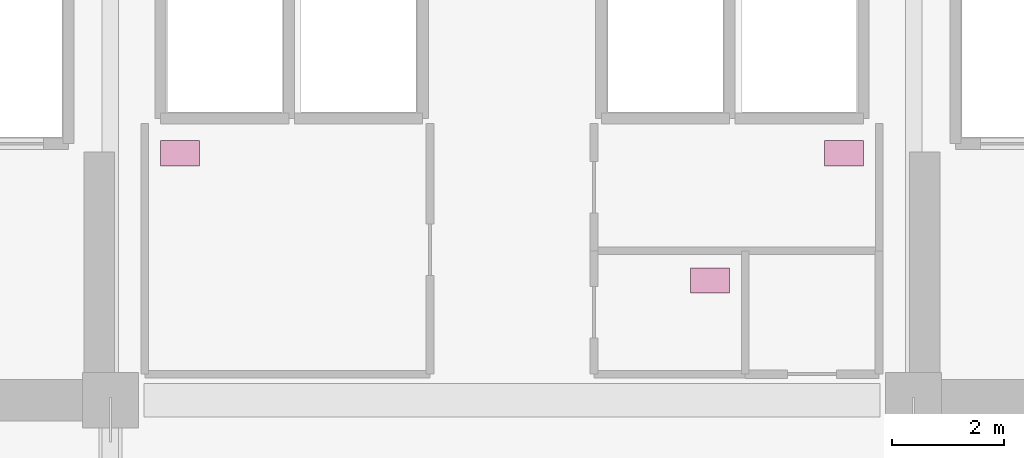
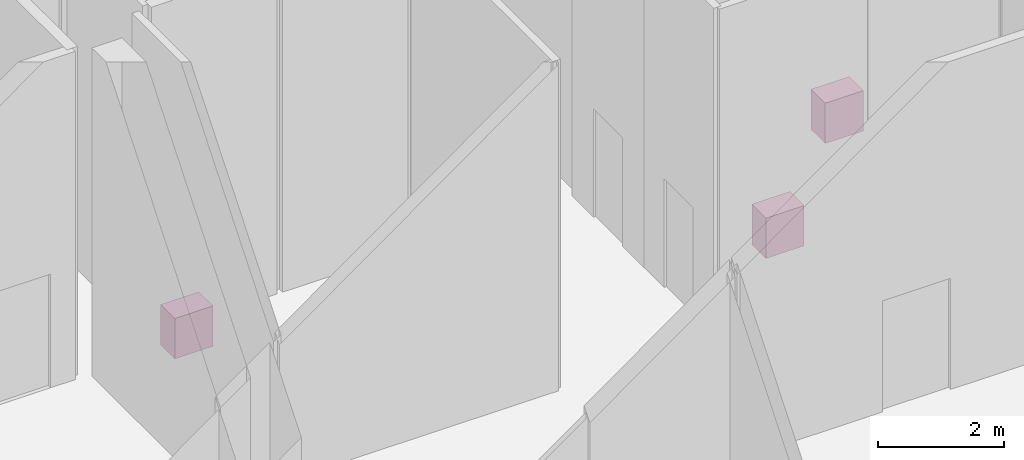
# One storey, part 15 of 15: 3 furnishings.
"""IFC4 building model written with IfcOpenShell, lengths in metres."""

from ifc_helpers import new_model, si_unit, direction, frame, origin, origin_2d, place, context, subcontext, project, spatial, rectangle, extrude, source, transform, mapped, material, type_object, element, save


model = new_model("IFC4")

# Units and contexts
model_context = context("Model", 3, precision=1e-05, world=origin(), true_north=direction((0.0, 1.0)))
body_context = subcontext(model_context, "Body", "Model", "MODEL_VIEW")
ifc_project = project(units=[si_unit("LENGTHUNIT", "METRE"), si_unit("AREAUNIT", "SQUARE_METRE"), si_unit("VOLUMEUNIT", "CUBIC_METRE"), si_unit("PLANEANGLEUNIT", "RADIAN"), si_unit("MASSUNIT", "GRAM", prefix="KILO")], contexts=[model_context])

# Site, building, storey
site_placement = place(None, origin())
site = spatial("IfcSite", under=ifc_project, at=site_placement, CompositionType="ELEMENT")
building_placement = place(site_placement, origin())
building = spatial("IfcBuilding", under=site, at=building_placement, Name="Zarnakvel Exchange Tower", CompositionType="ELEMENT")
storey_placement = place(building_placement, frame((0.0, 0.0, 80.199951171875)))
storey = spatial("IfcBuildingStorey", under=building, at=storey_placement, Name="L22", CompositionType="ELEMENT", Elevation=80.199951171875)

# Furnishings
ifc_material = material(Name="Vitreous China Sanitaryware", Category="ceramic")
furnishing_element_type = type_object("IfcFurnishingElementType", Name="SAN-WC", material=ifc_material)
shared_shape = source(origin(), body_context, "Body", "SweptSolid", [
    extrude(rectangle(XDim=0.699951171875, YDim=0.449951171875, at=origin_2d()), origin(), (0.0, 0.0, 1.0), 0.780029296875),
])
for number, where, z_axis, x_axis, name in (
    (1, (-5.949951171875, 3.22998046875, 0.0), (0.0, 0.0, 1.0), (1.0, 0.0, 0.0), "L22 Sanitary Fixture (Male Toilet)"),
    (2, (5.949951171875, 3.22998046875, 0.0), (0.0, 0.0, 1.0), (1.0, 0.0, 0.0), "L22 Sanitary Fixture (Female Toilet)"),
    (3, (3.550048828125, 0.949951171875, 0.0), (0.0, 0.0, 1.0), (1.0, 0.0, 0.0), "L22 Sanitary Fixture (Accessible Toilet)"),
):
    element("IfcFurnishingElement", number, at=place(storey_placement, frame(where, z_axis=z_axis, x_axis=x_axis)), inside=storey, type_object=furnishing_element_type, Name=name, ObjectType="SANITARY_FIXTURE", context=body_context, shape_type="MappedRepresentation", body=[
        mapped(shared_shape, transform((0.0, 0.0, 0.0), x_axis=(1.0, 0.0, 0.0), y_axis=(0.0, 1.0, 0.0), z_axis=(0.0, 0.0, 1.0), scale=1.0)),
    ])

save(model, "model.ifc")
